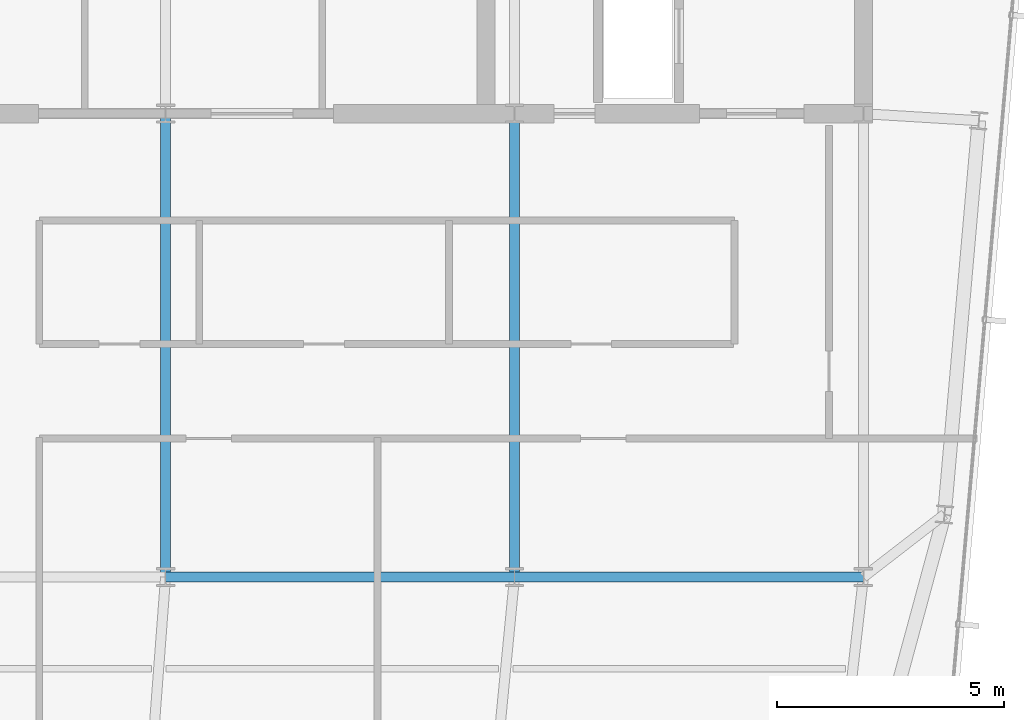
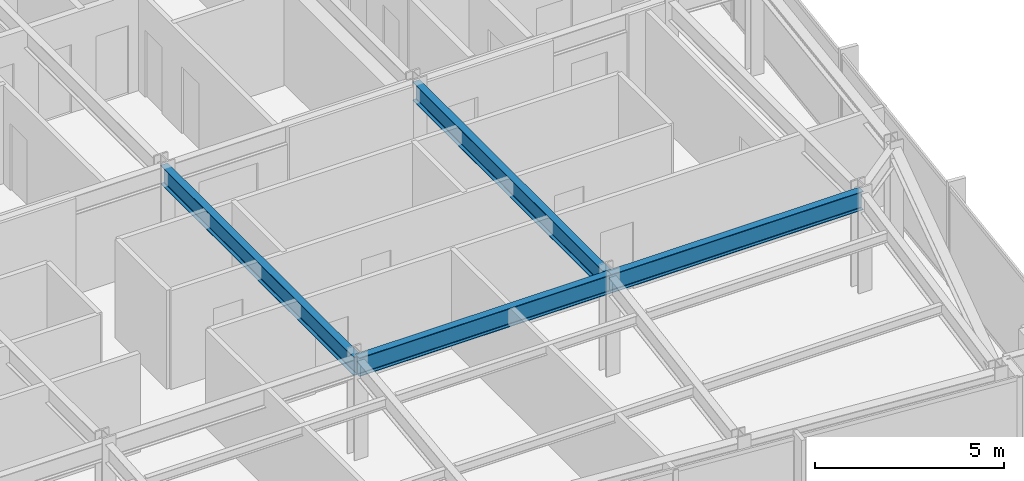
# One storey, part 15 of 32: 4 beams.
"""IFC4 building model written with IfcOpenShell, lengths in metres."""

from ifc_helpers import new_model, si_unit, direction, frame, origin, origin_2d, place, context, subcontext, project, spatial, i_section, extrude, material, material_profile, profile_set, type_object, element, save


model = new_model("IFC4")

# Units and contexts
model_context = context("Model", 3, precision=1e-05, world=origin(), true_north=direction((0.0, 1.0)))
body_context = subcontext(model_context, "Body", "Model", "MODEL_VIEW")
ifc_project = project(units=[si_unit("LENGTHUNIT", "METRE"), si_unit("AREAUNIT", "SQUARE_METRE"), si_unit("VOLUMEUNIT", "CUBIC_METRE"), si_unit("PLANEANGLEUNIT", "RADIAN"), si_unit("MASSUNIT", "GRAM", prefix="KILO")], contexts=[model_context])

# Site, building, storey
site_placement = place(None, origin())
site = spatial("IfcSite", under=ifc_project, at=site_placement, CompositionType="ELEMENT")
building_placement = place(site_placement, origin())
building = spatial("IfcBuilding", under=site, at=building_placement, Name="Yelkora Congress Tower", CompositionType="ELEMENT")
storey_placement = place(building_placement, frame((0.0, 0.0, 272.699951171875)))
storey = spatial("IfcBuildingStorey", under=building, at=storey_placement, Name="L76", CompositionType="ELEMENT", Elevation=272.699951171875)

# Beams
ifc_material = material(Name="Steel S355J2", Category="steel")
ifc_material_profile = material_profile(ifc_material, i_section(OverallWidth=0.219970703125, OverallDepth=0.60009765625, WebThickness=0.011962890625, FlangeThickness=0.01904296875, FilletRadius=0.02392578125, at=origin_2d()), Name="IPE 600")
ifc_profile_set = profile_set([ifc_material_profile], Name="Steel S355J2")
beam_type = type_object("IfcBeamType", Name="BM-GIRD-IPE600", PredefinedType="BEAM", material=ifc_profile_set)
beam_1_placement = place(storey_placement, frame((38.39990234375, 25.199951171875, 2.880126953125), z_axis=(1.0, 0.0, 0.0), x_axis=(0.0, 1.0, 0.0)))
element("IfcBeam", 1, at=beam_1_placement, inside=storey, type_object=beam_type, Name="L76 Spine Grid D Girder 3", PredefinedType="BEAM", context=body_context, shape_type="SweptSolid", body=[
    extrude(i_section(OverallWidth=0.219970703125, OverallDepth=0.60009765625, WebThickness=0.011962890625, FlangeThickness=0.01904296875, FilletRadius=0.02392578125, at=origin_2d()), origin(), (0.0, 0.0, 1.0), 7.68017578125),
])
beam_2_placement = place(storey_placement, frame((46.080078125, 25.199951171875, 2.880126953125), z_axis=(1.0, 0.0, 0.0), x_axis=(0.0, 1.0, 0.0)))
element("IfcBeam", 2, at=beam_2_placement, inside=storey, type_object=beam_type, Name="L76 Spine Grid D Girder 4", PredefinedType="BEAM", context=body_context, shape_type="SweptSolid", body=[
    extrude(i_section(OverallWidth=0.219970703125, OverallDepth=0.60009765625, WebThickness=0.011962890625, FlangeThickness=0.01904296875, FilletRadius=0.02392578125, at=origin_2d()), origin(), (0.0, 0.0, 1.0), 7.679931640625),
])
for number, where, z_axis, x_axis, name in (
    (3, (38.39990234375, 25.199951171875, 2.880126953125), (0.0, 1.0, 0.0), (-1.0, 0.0, 0.0), "L76 Core Tie Girder MC-D3"),
    (4, (46.080078125, 25.199951171875, 2.880126953125), (0.0, 1.0, 0.0), (-1.0, 0.0, 0.0), "L76 Core Tie Girder MC-D4"),
):
    element("IfcBeam", number, at=place(storey_placement, frame(where, z_axis=z_axis, x_axis=x_axis)), inside=storey, type_object=beam_type, Name=name, PredefinedType="BEAM", context=body_context, shape_type="SweptSolid", body=[
        extrude(i_section(OverallWidth=0.219970703125, OverallDepth=0.60009765625, WebThickness=0.011962890625, FlangeThickness=0.01904296875, FilletRadius=0.02392578125, at=origin_2d()), origin(), (0.0, 0.0, 1.0), 10.199951171875),
    ])

save(model, "model.ifc")
